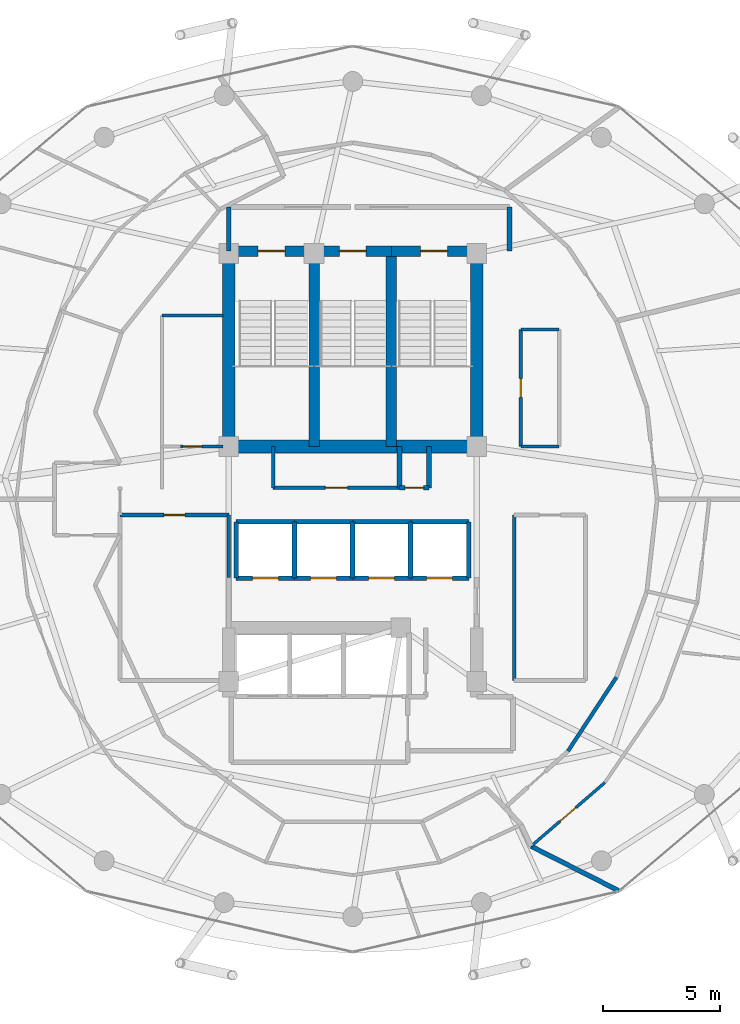
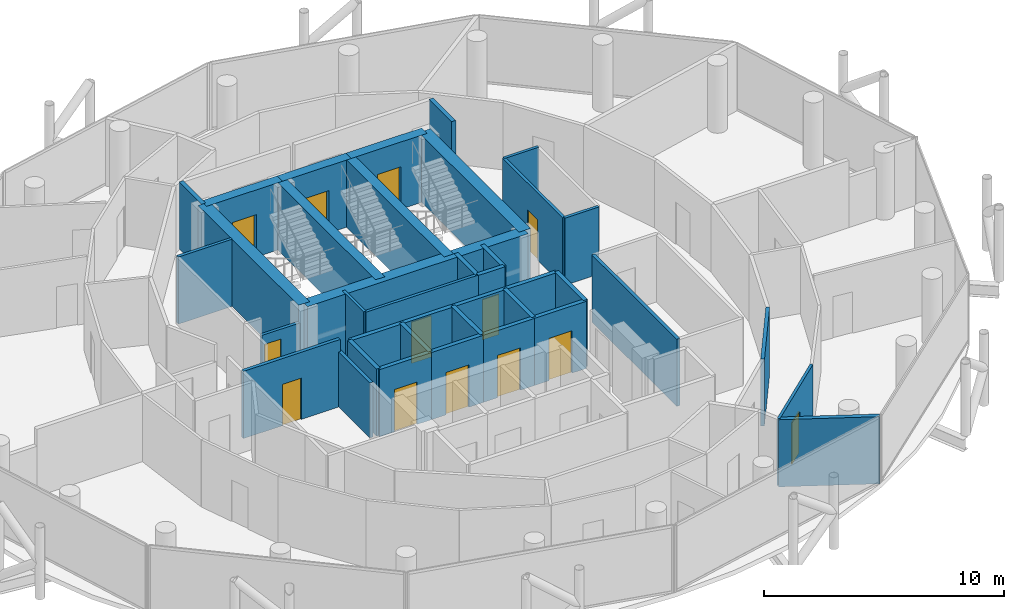
# One storey, part 24 of 28: 39 walls, 13 doors, 13 openings.
"""IFC4 building model written with IfcOpenShell, lengths in metres."""

from ifc_helpers import new_model, si_unit, direction, frame, frame_2d, origin, place, context, subcontext, project, spatial, rectangle, extrude, material, layer, layer_set, type_object, element, fill, save


model = new_model("IFC4")

# Units and contexts
model_context = context("Model", 3, precision=1e-05, world=origin(), true_north=direction((0.0, 1.0)))
body_context = subcontext(model_context, "Body", "Model", "MODEL_VIEW")
ifc_project = project(units=[si_unit("LENGTHUNIT", "METRE"), si_unit("AREAUNIT", "SQUARE_METRE"), si_unit("VOLUMEUNIT", "CUBIC_METRE"), si_unit("PLANEANGLEUNIT", "RADIAN"), si_unit("MASSUNIT", "GRAM", prefix="KILO")], contexts=[model_context])

# Site, building, storey
site_placement = place(None, origin())
site = spatial("IfcSite", under=ifc_project, at=site_placement, CompositionType="ELEMENT")
building_placement = place(site_placement, origin())
building = spatial("IfcBuilding", under=site, at=building_placement, Name="Nuhasar Tower", CompositionType="ELEMENT")
storey_placement = place(building_placement, frame((0.0, 0.0, 222.75)))
storey = spatial("IfcBuildingStorey", under=building, at=storey_placement, Name="L54", CompositionType="ELEMENT", Elevation=222.75)

# Wall, opening, door
ifc_material_1 = material(Name="Concrete C50/60", Category="concrete")
ifc_layer_1 = layer(ifc_material_1, 0.449951171875)
ifc_layer_set_1 = layer_set([ifc_layer_1], Name="Concrete C50/60")
wall_type_1 = type_object("IfcWallType", Name="WL-CORE-450", PredefinedType="SHEAR", material=ifc_layer_set_1)
wall_1_placement = place(storey_placement, frame((37.35009765625, 37.39990234375, 0.0), z_axis=(0.0, 0.0, 1.0), x_axis=(-1.0, 0.0, 0.0)))
wall_1 = element("IfcWall", 1, at=wall_1_placement, inside=storey, type_object=wall_type_1, Name="L54 Stairwell Shear Wall ST01-N", PredefinedType="SHEAR", context=body_context, shape_type="SweptSolid", body=[
    extrude(rectangle(XDim=3.650146484375, YDim=0.449951171875, at=frame_2d((1.8251953125, 0.0))), origin(), (0.0, 0.0, 1.0), 3.409912109375),
])
opening_1_placement = place(wall_1_placement, frame((1.25, 0.0, 0.0)))
opening_1 = element("IfcOpeningElement", 2, at=opening_1_placement, cuts=wall_1, Name="Opening DS-01", PredefinedType="OPENING", context=body_context, shape_type="SweptSolid", body=[
    extrude(rectangle(XDim=1.14990234375, YDim=2.14990234375, at=frame_2d((0.574951171875, 1.074951171875))), frame((0.0, 0.23486328125, 0.0), z_axis=(0.0, -1.0, 0.0), x_axis=(1.0, 0.0, 0.0)), (0.0, 0.0, 1.0), 0.469970703125),
])
ifc_material_2 = material(Name="Steel S355", Category="steel")
door_type_1 = type_object("IfcDoorType", Name="DR-STAIR-FD120-1150", OperationType="NOTDEFINED", PredefinedType="DOOR", material=ifc_material_2)
door_1_placement = place(opening_1_placement, origin())
door_1 = element("IfcDoor", 3, at=door_1_placement, inside=storey, type_object=door_type_1, Name="L54 Exit Stair ST-01 Door", OperationType="SINGLE_SWING_RIGHT", OverallHeight=2.14990234375, OverallWidth=1.14990234375, PredefinedType="DOOR", context=body_context, shape_type="SweptSolid", body=[
    extrude(rectangle(XDim=1.14990234375, YDim=2.14990234375, at=frame_2d((0.574951171875, 1.074951171875))), frame((0.0, 0.02490234375, 0.0), z_axis=(0.0, -1.0, 0.0), x_axis=(1.0, 0.0, 0.0)), (0.0, 0.0, 1.0), 0.050048828125),
])
fill(opening_1, door_1)

# Wall
wall_2_placement = place(storey_placement, frame((37.35009765625, 29.050048828125, 0.0), z_axis=(0.0, 0.0, 1.0), x_axis=(0.0, 1.0, 0.0)))
element("IfcWall", 4, at=wall_2_placement, inside=storey, type_object=wall_type_1, Name="L54 Stairwell Shear Wall ST01-E", PredefinedType="SHEAR", context=body_context, shape_type="SweptSolid", body=[
    extrude(rectangle(XDim=8.349853515625, YDim=0.449951171875, at=frame_2d((4.1748046875, 0.0))), origin(), (0.0, 0.0, 1.0), 3.409912109375),
])

# Wall, opening, door
wall_3_placement = place(storey_placement, frame((40.64990234375, 37.39990234375, 0.0), z_axis=(0.0, 0.0, 1.0), x_axis=(-1.0, 0.0, 0.0)))
wall_3 = element("IfcWall", 5, at=wall_3_placement, inside=storey, type_object=wall_type_1, Name="L54 Stairwell Shear Wall ST03-N", PredefinedType="SHEAR", context=body_context, shape_type="SweptSolid", body=[
    extrude(rectangle(XDim=3.2998046875, YDim=0.449951171875, at=frame_2d((1.64990234375, 0.0))), origin(), (0.0, 0.0, 1.0), 3.409912109375),
])
opening_2_placement = place(wall_3_placement, frame((1.074951171875, 0.0, 0.0)))
opening_2 = element("IfcOpeningElement", 6, at=opening_2_placement, cuts=wall_3, Name="Opening DS-01", PredefinedType="OPENING", context=body_context, shape_type="SweptSolid", body=[
    extrude(rectangle(XDim=1.14990234375, YDim=2.14990234375, at=frame_2d((0.574951171875, 1.074951171875))), frame((0.0, 0.23486328125, 0.0), z_axis=(0.0, -1.0, 0.0), x_axis=(1.0, 0.0, 0.0)), (0.0, 0.0, 1.0), 0.469970703125),
])
door_2_placement = place(opening_2_placement, origin())
door_2 = element("IfcDoor", 7, at=door_2_placement, inside=storey, type_object=door_type_1, Name="L54 Exit Stair ST-03 Door", OperationType="SINGLE_SWING_RIGHT", OverallHeight=2.14990234375, OverallWidth=1.14990234375, PredefinedType="DOOR", context=body_context, shape_type="SweptSolid", body=[
    extrude(rectangle(XDim=1.14990234375, YDim=2.14990234375, at=frame_2d((0.574951171875, 1.074951171875))), frame((0.0, 0.02490234375, 0.0), z_axis=(0.0, -1.0, 0.0), x_axis=(1.0, 0.0, 0.0)), (0.0, 0.0, 1.0), 0.050048828125),
])
fill(opening_2, door_2)

# Wall
wall_4_placement = place(storey_placement, frame((40.64990234375, 29.050048828125, 0.0), z_axis=(0.0, 0.0, 1.0), x_axis=(0.0, 1.0, 0.0)))
element("IfcWall", 8, at=wall_4_placement, inside=storey, type_object=wall_type_1, Name="L54 Stairwell Shear Wall ST03-E", PredefinedType="SHEAR", context=body_context, shape_type="SweptSolid", body=[
    extrude(rectangle(XDim=8.349853515625, YDim=0.449951171875, at=frame_2d((4.1748046875, 0.0))), origin(), (0.0, 0.0, 1.0), 3.409912109375),
])

# Wall, opening, door
wall_5_placement = place(storey_placement, frame((44.300048828125, 37.39990234375, 0.0), z_axis=(0.0, 0.0, 1.0), x_axis=(-1.0, 0.0, 0.0)))
wall_5 = element("IfcWall", 9, at=wall_5_placement, inside=storey, type_object=wall_type_1, Name="L54 Stairwell Shear Wall ST02-N", PredefinedType="SHEAR", context=body_context, shape_type="SweptSolid", body=[
    extrude(rectangle(XDim=3.650146484375, YDim=0.449951171875, at=frame_2d((1.8251953125, 0.0))), origin(), (0.0, 0.0, 1.0), 3.409912109375),
])
opening_3_placement = place(wall_5_placement, frame((1.25, 0.0, 0.0)))
opening_3 = element("IfcOpeningElement", 10, at=opening_3_placement, cuts=wall_5, Name="Opening DS-01", PredefinedType="OPENING", context=body_context, shape_type="SweptSolid", body=[
    extrude(rectangle(XDim=1.14990234375, YDim=2.14990234375, at=frame_2d((0.574951171875, 1.074951171875))), frame((0.0, 0.23486328125, 0.0), z_axis=(0.0, -1.0, 0.0), x_axis=(1.0, 0.0, 0.0)), (0.0, 0.0, 1.0), 0.469970703125),
])
door_3_placement = place(opening_3_placement, origin())
door_3 = element("IfcDoor", 11, at=door_3_placement, inside=storey, type_object=door_type_1, Name="L54 Exit Stair ST-02 Door", OperationType="SINGLE_SWING_LEFT", OverallHeight=2.14990234375, OverallWidth=1.14990234375, PredefinedType="DOOR", context=body_context, shape_type="SweptSolid", body=[
    extrude(rectangle(XDim=1.14990234375, YDim=2.14990234375, at=frame_2d((0.574951171875, 1.074951171875))), frame((0.0, 0.02490234375, 0.0), z_axis=(0.0, -1.0, 0.0), x_axis=(1.0, 0.0, 0.0)), (0.0, 0.0, 1.0), 0.050048828125),
])
fill(opening_3, door_3)

# Walls
ifc_material_3 = material(Name="Concrete C55/67", Category="concrete")
ifc_layer_2 = layer(ifc_material_3, 0.550048828125)
ifc_layer_set_2 = layer_set([ifc_layer_2], Name="Concrete C55/67")
wall_type_2 = type_object("IfcWallType", Name="WL-CORE-550", PredefinedType="SHEAR", material=ifc_layer_set_2)
for number, where, z_axis, x_axis, name in (
    (12, (33.699951171875, 29.050048828125, 0.0), (0.0, 0.0, 1.0), (0.0, 1.0, 0.0), "L54 Core Shear Wall CW-NW CW-550"),
    (13, (44.300048828125, 29.050048828125, 0.0), (0.0, 0.0, 1.0), (0.0, 1.0, 0.0), "L54 Core Shear Wall CW-NE CW-550"),
):
    element("IfcWall", number, at=place(storey_placement, frame(where, z_axis=z_axis, x_axis=x_axis)), inside=storey, type_object=wall_type_2, Name=name, PredefinedType="SHEAR", context=body_context, shape_type="SweptSolid", body=[
        extrude(rectangle(XDim=8.349853515625, YDim=0.550048828125, at=frame_2d((4.1748046875, 0.0))), origin(), (0.0, 0.0, 1.0), 3.409912109375),
    ])
wall_6_placement = place(storey_placement, frame((33.699951171875, 29.050048828125, 0.0), z_axis=(0.0, 0.0, 1.0), x_axis=(1.0, 0.0, 0.0)))
element("IfcWall", 14, at=wall_6_placement, inside=storey, type_object=wall_type_2, Name="L54 Core Shear Wall CW-N1 CW-550", PredefinedType="SHEAR", context=body_context, shape_type="SweptSolid", body=[
    extrude(rectangle(XDim=10.60009765625, YDim=0.550048828125, at=frame_2d((5.300048828125, 0.0))), origin(), (0.0, 0.0, 1.0), 3.409912109375),
])
ifc_material_4 = material(Name="Gypsum Board", Category="gypsum")
ifc_layer_3 = layer(ifc_material_4, 0.159912109375)
ifc_layer_set_3 = layer_set([ifc_layer_3], Name="Gypsum Board")
wall_type_3 = type_object("IfcWallType", Name="WL-CORR-160", PredefinedType="PARTITIONING", material=ifc_layer_set_3)
wall_7_placement = place(storey_placement, frame((33.699951171875, 23.449951171875, 0.0), z_axis=(0.0, 0.0, 1.0), x_axis=(0.0, 1.0, 0.0)))
element("IfcWall", 15, at=wall_7_placement, inside=storey, type_object=wall_type_3, Name="L54 Interior Partition RECL-B1-E", PredefinedType="PARTITIONING", context=body_context, shape_type="SweptSolid", body=[
    extrude(rectangle(XDim=2.670166015625, YDim=0.159912109375, at=frame_2d((1.3349609375, 0.0))), origin(), (0.0, 0.0, 1.0), 2.794921875),
])

# Wall, opening, door
wall_8_placement = place(storey_placement, frame((33.699951171875, 26.1201171875, 0.0), z_axis=(0.0, 0.0, 1.0), x_axis=(-1.0, 0.0, 0.0)))
wall_8 = element("IfcWall", 16, at=wall_8_placement, inside=storey, type_object=wall_type_3, Name="L54 Interior Partition RECL-B1-N", PredefinedType="PARTITIONING", context=body_context, shape_type="SweptSolid", body=[
    extrude(rectangle(XDim=4.64990234375, YDim=0.159912109375, at=frame_2d((2.324951171875, 0.0))), origin(), (0.0, 0.0, 1.0), 3.409912109375),
])
opening_4_placement = place(wall_8_placement, frame((1.875, 0.0, 0.0)))
opening_4 = element("IfcOpeningElement", 17, at=opening_4_placement, cuts=wall_8, Name="Opening DR-01", PredefinedType="OPENING", context=body_context, shape_type="SweptSolid", body=[
    extrude(rectangle(XDim=0.89990234375, YDim=2.10009765625, at=frame_2d((0.449951171875, 1.050048828125))), frame((0.0, 0.08984375, 0.0), z_axis=(0.0, -1.0, 0.0), x_axis=(1.0, 0.0, 0.0)), (0.0, 0.0, 1.0), 0.179931640625),
])
ifc_material_5 = material(Name="Timber Oak", Category="wood")
door_type_2 = type_object("IfcDoorType", Name="DR-ROOM-900", OperationType="NOTDEFINED", PredefinedType="DOOR", material=ifc_material_5)
door_4_placement = place(opening_4_placement, origin())
door_4 = element("IfcDoor", 18, at=door_4_placement, inside=storey, type_object=door_type_2, Name="L54 Butler Store Door", OperationType="SINGLE_SWING_LEFT", OverallHeight=2.10009765625, OverallWidth=0.89990234375, PredefinedType="DOOR", context=body_context, shape_type="SweptSolid", body=[
    extrude(rectangle(XDim=0.89990234375, YDim=2.10009765625, at=frame_2d((0.449951171875, 1.050048828125))), frame((0.0, 0.02490234375, 0.0), z_axis=(0.0, -1.0, 0.0), x_axis=(1.0, 0.0, 0.0)), (0.0, 0.0, 1.0), 0.050048828125),
])
fill(opening_4, door_4)

# Walls
wall_9_placement = place(storey_placement, frame((45.89990234375, 19.050048828125, 0.0), z_axis=(0.0, 0.0, 1.0), x_axis=(0.0, 1.0, 0.0)))
element("IfcWall", 19, at=wall_9_placement, inside=storey, type_object=wall_type_3, Name="L54 Interior Partition RECL-B2-W", PredefinedType="PARTITIONING", context=body_context, shape_type="SweptSolid", body=[
    extrude(rectangle(XDim=7.070068359375, YDim=0.159912109375, at=frame_2d((3.53515625, 0.0))), origin(), (0.0, 0.0, 1.0), 3.409912109375),
])
wall_10_placement = place(storey_placement, frame((48.198974609375, 16.031005859375, 0.0), z_axis=(0.0, 0.0, 1.0), x_axis=(0.548335441843, 0.836258478712, 0.0)))
element("IfcWall", 20, at=wall_10_placement, inside=storey, type_object=wall_type_3, Name="L54 Interior Partition CORR-42", PredefinedType="PARTITIONING", context=body_context, shape_type="SweptSolid", body=[
    extrude(rectangle(XDim=3.771728515625, YDim=0.159912109375, at=frame_2d((1.8857421875, 0.0))), origin(), (0.0, 0.0, 1.0), 3.409912109375),
])
ifc_material_6 = material(Name="Concrete C45/55", Category="concrete")
ifc_layer_4 = layer(ifc_material_6, 0.199951171875)
ifc_layer_set_4 = layer_set([ifc_layer_4], Name="Concrete C45/55")
wall_type_4 = type_object("IfcWallType", Name="WL-LOBBY-200", PredefinedType="SOLIDWALL", material=ifc_layer_set_4)
for number, where, z_axis, x_axis, name in (
    (21, (33.699951171875, 37.39990234375, 0.0), (0.0, 0.0, 1.0), (0.0, 1.0, 0.0), "L54 Interior Partition NSL-W"),
    (22, (45.699951171875, 37.39990234375, 0.0), (0.0, 0.0, 1.0), (0.0, 1.0, 0.0), "L54 Interior Partition NSL-E"),
):
    element("IfcWall", number, at=place(storey_placement, frame(where, z_axis=z_axis, x_axis=x_axis)), inside=storey, type_object=wall_type_4, Name=name, PredefinedType="SOLIDWALL", context=body_context, shape_type="SweptSolid", body=[
        extrude(rectangle(XDim=1.880126953125, YDim=0.199951171875, at=frame_2d((0.93994140625, 0.0))), origin(), (0.0, 0.0, 1.0), 3.409912109375),
    ])

# Wall, opening, door
ifc_layer_5 = layer(ifc_material_4, 0.125)
ifc_layer_set_5 = layer_set([ifc_layer_5], Name="Gypsum Board")
wall_type_5 = type_object("IfcWallType", Name="WL-PART-125", PredefinedType="PARTITIONING", material=ifc_layer_set_5)
wall_11_placement = place(storey_placement, frame((49.77587890625, 14.68701171875, 0.0), z_axis=(0.0, 0.0, 1.0), x_axis=(-0.757239102967, -0.653137765665, 0.0)))
wall_11 = element("IfcWall", 23, at=wall_11_placement, inside=storey, type_object=wall_type_5, Name="L54 Interior Partition UMID-01-A-40", PredefinedType="PARTITIONING", context=body_context, shape_type="SweptSolid", body=[
    extrude(rectangle(XDim=4.16748046875, YDim=0.125, at=frame_2d((2.083740234375, 0.0))), origin(), (0.0, 0.0, 1.0), 3.409912109375),
])
opening_5_placement = place(wall_11_placement, frame((1.634033203125, 0.0, 0.0)))
opening_5 = element("IfcOpeningElement", 24, at=opening_5_placement, cuts=wall_11, Name="Opening DR-01", PredefinedType="OPENING", context=body_context, shape_type="SweptSolid", body=[
    extrude(rectangle(XDim=0.89990234375, YDim=2.10009765625, at=frame_2d((0.449951171875, 1.050048828125))), frame((0.0, 0.072509765625, 0.0), z_axis=(0.0, -1.0, 0.0), x_axis=(1.0, 0.0, 0.0)), (0.0, 0.0, 1.0), 0.14501953125),
])
door_5_placement = place(opening_5_placement, origin())
door_5 = element("IfcDoor", 25, at=door_5_placement, inside=storey, type_object=door_type_2, Name="L54 U01 Living Door", OperationType="SINGLE_SWING_LEFT", OverallHeight=2.10009765625, OverallWidth=0.89990234375, PredefinedType="DOOR", context=body_context, shape_type="SweptSolid", body=[
    extrude(rectangle(XDim=0.89990234375, YDim=2.10009765625, at=frame_2d((0.449951171875, 1.050048828125))), frame((0.0, 0.02490234375, 0.0), z_axis=(0.0, -1.0, 0.0), x_axis=(1.0, 0.0, 0.0)), (0.0, 0.0, 1.0), 0.050048828125),
])
fill(opening_5, door_5)

# Walls
ifc_layer_6 = layer(ifc_material_6, 0.199951171875)
ifc_layer_set_6 = layer_set([ifc_layer_6], Name="Concrete C45/55")
wall_type_6 = type_object("IfcWallType", Name="WL-SHAFT-200", PredefinedType="SOLIDWALL", material=ifc_layer_set_6)
for number, where, z_axis, x_axis, name in (
    (26, (41.0, 27.280029296875, 0.0), (0.0, 0.0, 1.0), (0.0, 1.0, 0.0), "L54 Interior Partition RSRN-W"),
    (27, (42.260009765625, 27.280029296875, 0.0), (0.0, 0.0, 1.0), (0.0, 1.0, 0.0), "L54 Interior Partition RSRN-E"),
):
    element("IfcWall", number, at=place(storey_placement, frame(where, z_axis=z_axis, x_axis=x_axis)), inside=storey, type_object=wall_type_6, Name=name, PredefinedType="SOLIDWALL", context=body_context, shape_type="SweptSolid", body=[
        extrude(rectangle(XDim=1.77001953125, YDim=0.199951171875, at=frame_2d((0.885009765625, 0.0))), origin(), (0.0, 0.0, 1.0), 3.409912109375),
    ])

# Wall, opening, door
wall_12_placement = place(storey_placement, frame((41.0, 27.280029296875, 0.0), z_axis=(0.0, 0.0, 1.0), x_axis=(1.0, 0.0, 0.0)))
wall_12 = element("IfcWall", 28, at=wall_12_placement, inside=storey, type_object=wall_type_6, Name="L54 Interior Partition RSRN-S", PredefinedType="SOLIDWALL", context=body_context, shape_type="SweptSolid", body=[
    extrude(rectangle(XDim=1.260009765625, YDim=0.199951171875, at=frame_2d((0.6298828125, 0.0))), origin(), (0.0, 0.0, 1.0), 3.409912109375),
])
opening_6_placement = place(wall_12_placement, frame((0.22998046875, 0.0, 0.0)))
opening_6 = element("IfcOpeningElement", 29, at=opening_6_placement, cuts=wall_12, Name="Opening DM-01", PredefinedType="OPENING", context=body_context, shape_type="SweptSolid", body=[
    extrude(rectangle(XDim=0.800048828125, YDim=2.050048828125, at=frame_2d((0.39990234375, 1.02490234375))), frame((0.0, 0.10986328125, 0.0), z_axis=(0.0, -1.0, 0.0), x_axis=(1.0, 0.0, 0.0)), (0.0, 0.0, 1.0), 0.219970703125),
])
door_type_3 = type_object("IfcDoorType", Name="DR-RISER-FD60-800", OperationType="NOTDEFINED", PredefinedType="DOOR", material=ifc_material_2)
door_6_placement = place(opening_6_placement, origin())
door_6 = element("IfcDoor", 30, at=door_6_placement, inside=storey, type_object=door_type_3, Name="L54 North Smoke Riser Door", OperationType="SINGLE_SWING_RIGHT", OverallHeight=2.050048828125, OverallWidth=0.800048828125, PredefinedType="DOOR", context=body_context, shape_type="SweptSolid", body=[
    extrude(rectangle(XDim=0.800048828125, YDim=2.050048828125, at=frame_2d((0.39990234375, 1.02490234375))), frame((0.0, 0.02490234375, 0.0), z_axis=(0.0, -1.0, 0.0), x_axis=(1.0, 0.0, 0.0)), (0.0, 0.0, 1.0), 0.050048828125),
])
fill(opening_6, door_6)

wall_13_placement = place(storey_placement, frame((34.02001953125, 23.419921875, 0.0), z_axis=(0.0, 0.0, 1.0), x_axis=(1.0, 0.0, 0.0)))
wall_13 = element("IfcWall", 31, at=wall_13_placement, inside=storey, type_object=wall_type_6, Name="L54 Interior Partition SHF-PL-H01-S", PredefinedType="SOLIDWALL", context=body_context, shape_type="SweptSolid", body=[
    extrude(rectangle(XDim=2.5, YDim=0.199951171875, at=frame_2d((1.25, 0.0))), origin(), (0.0, 0.0, 1.0), 3.409912109375),
])
opening_7_placement = place(wall_13_placement, frame((0.699951171875, 0.0, 0.0)))
opening_7 = element("IfcOpeningElement", 32, at=opening_7_placement, cuts=wall_13, Name="Opening LD-H01", PredefinedType="OPENING", context=body_context, shape_type="SweptSolid", body=[
    extrude(rectangle(XDim=1.10009765625, YDim=2.14990234375, at=frame_2d((0.550048828125, 1.074951171875))), frame((0.0, 0.10986328125, 0.0), z_axis=(0.0, -1.0, 0.0), x_axis=(1.0, 0.0, 0.0)), (0.0, 0.0, 1.0), 0.219970703125),
])
ifc_material_7 = material(Name="Stainless Steel 316L", Category="steel")
door_type_4 = type_object("IfcDoorType", Name="LD-PAX-1100", OperationType="DOUBLE_DOOR_SLIDING", PredefinedType="DOOR", material=ifc_material_7)
door_7_placement = place(opening_7_placement, origin())
door_7 = element("IfcDoor", 33, at=door_7_placement, inside=storey, type_object=door_type_4, Name="L54 Lift Landing Door PL-H01", OperationType="DOUBLE_DOOR_SLIDING", OverallHeight=2.14990234375, OverallWidth=1.10009765625, PredefinedType="DOOR", context=body_context, shape_type="SweptSolid", body=[
    extrude(rectangle(XDim=1.10009765625, YDim=2.14990234375, at=frame_2d((0.550048828125, 1.074951171875))), frame((0.0, 0.02490234375, 0.0), z_axis=(0.0, -1.0, 0.0), x_axis=(1.0, 0.0, 0.0)), (0.0, 0.0, 1.0), 0.050048828125),
])
fill(opening_7, door_7)

# Walls
wall_14_placement = place(storey_placement, frame((34.02001953125, 25.830078125, 0.0), z_axis=(0.0, 0.0, 1.0), x_axis=(1.0, 0.0, 0.0)))
element("IfcWall", 34, at=wall_14_placement, inside=storey, type_object=wall_type_6, Name="L54 Interior Partition SHF-PL-H01-N", PredefinedType="SOLIDWALL", context=body_context, shape_type="SweptSolid", body=[
    extrude(rectangle(XDim=2.5, YDim=0.199951171875, at=frame_2d((1.25, 0.0))), origin(), (0.0, 0.0, 1.0), 3.409912109375),
])
for number, where, z_axis, x_axis, name in (
    (35, (34.02001953125, 23.419921875, 0.0), (0.0, 0.0, 1.0), (0.0, 1.0, 0.0), "L54 Interior Partition SHF-PL-H01-W"),
    (36, (36.510009765625, 23.419921875, 0.0), (0.0, 0.0, 1.0), (0.0, 1.0, 0.0), "L54 Interior Partition SHF-PL-H01-E"),
):
    element("IfcWall", number, at=place(storey_placement, frame(where, z_axis=z_axis, x_axis=x_axis)), inside=storey, type_object=wall_type_6, Name=name, PredefinedType="SOLIDWALL", context=body_context, shape_type="SweptSolid", body=[
        extrude(rectangle(XDim=2.41015625, YDim=0.199951171875, at=frame_2d((1.205078125, 0.0))), origin(), (0.0, 0.0, 1.0), 3.409912109375),
    ])

# Wall, opening, door
wall_15_placement = place(storey_placement, frame((36.5, 23.419921875, 0.0), z_axis=(0.0, 0.0, 1.0), x_axis=(1.0, 0.0, 0.0)))
wall_15 = element("IfcWall", 37, at=wall_15_placement, inside=storey, type_object=wall_type_6, Name="L54 Interior Partition SHF-PL-H02-S", PredefinedType="SOLIDWALL", context=body_context, shape_type="SweptSolid", body=[
    extrude(rectangle(XDim=2.5, YDim=0.199951171875, at=frame_2d((1.25, 0.0))), origin(), (0.0, 0.0, 1.0), 3.409912109375),
])
opening_8_placement = place(wall_15_placement, frame((0.699951171875, 0.0, 0.0)))
opening_8 = element("IfcOpeningElement", 38, at=opening_8_placement, cuts=wall_15, Name="Opening LD-H02", PredefinedType="OPENING", context=body_context, shape_type="SweptSolid", body=[
    extrude(rectangle(XDim=1.10009765625, YDim=2.14990234375, at=frame_2d((0.550048828125, 1.074951171875))), frame((0.0, 0.10986328125, 0.0), z_axis=(0.0, -1.0, 0.0), x_axis=(1.0, 0.0, 0.0)), (0.0, 0.0, 1.0), 0.219970703125),
])
door_8_placement = place(opening_8_placement, origin())
door_8 = element("IfcDoor", 39, at=door_8_placement, inside=storey, type_object=door_type_4, Name="L54 Lift Landing Door PL-H02", OperationType="DOUBLE_DOOR_SLIDING", OverallHeight=2.14990234375, OverallWidth=1.10009765625, PredefinedType="DOOR", context=body_context, shape_type="SweptSolid", body=[
    extrude(rectangle(XDim=1.10009765625, YDim=2.14990234375, at=frame_2d((0.550048828125, 1.074951171875))), frame((0.0, 0.02490234375, 0.0), z_axis=(0.0, -1.0, 0.0), x_axis=(1.0, 0.0, 0.0)), (0.0, 0.0, 1.0), 0.050048828125),
])
fill(opening_8, door_8)

# Walls
wall_16_placement = place(storey_placement, frame((36.5, 25.830078125, 0.0), z_axis=(0.0, 0.0, 1.0), x_axis=(1.0, 0.0, 0.0)))
element("IfcWall", 40, at=wall_16_placement, inside=storey, type_object=wall_type_6, Name="L54 Interior Partition SHF-PL-H02-N", PredefinedType="SOLIDWALL", context=body_context, shape_type="SweptSolid", body=[
    extrude(rectangle(XDim=2.5, YDim=0.199951171875, at=frame_2d((1.25, 0.0))), origin(), (0.0, 0.0, 1.0), 3.409912109375),
])
wall_17_placement = place(storey_placement, frame((38.989990234375, 23.419921875, 0.0), z_axis=(0.0, 0.0, 1.0), x_axis=(0.0, 1.0, 0.0)))
element("IfcWall", 41, at=wall_17_placement, inside=storey, type_object=wall_type_6, Name="L54 Interior Partition SHF-PL-H02-E", PredefinedType="SOLIDWALL", context=body_context, shape_type="SweptSolid", body=[
    extrude(rectangle(XDim=2.41015625, YDim=0.199951171875, at=frame_2d((1.205078125, 0.0))), origin(), (0.0, 0.0, 1.0), 3.409912109375),
])

# Wall, opening, door
wall_18_placement = place(storey_placement, frame((38.97998046875, 23.419921875, 0.0), z_axis=(0.0, 0.0, 1.0), x_axis=(1.0, 0.0, 0.0)))
wall_18 = element("IfcWall", 42, at=wall_18_placement, inside=storey, type_object=wall_type_6, Name="L54 Interior Partition SHF-PL-H03-S", PredefinedType="SOLIDWALL", context=body_context, shape_type="SweptSolid", body=[
    extrude(rectangle(XDim=2.5, YDim=0.199951171875, at=frame_2d((1.25, 0.0))), origin(), (0.0, 0.0, 1.0), 3.409912109375),
])
opening_9_placement = place(wall_18_placement, frame((0.699951171875, 0.0, 0.0)))
opening_9 = element("IfcOpeningElement", 43, at=opening_9_placement, cuts=wall_18, Name="Opening LD-H03", PredefinedType="OPENING", context=body_context, shape_type="SweptSolid", body=[
    extrude(rectangle(XDim=1.10009765625, YDim=2.14990234375, at=frame_2d((0.550048828125, 1.074951171875))), frame((0.0, 0.10986328125, 0.0), z_axis=(0.0, -1.0, 0.0), x_axis=(1.0, 0.0, 0.0)), (0.0, 0.0, 1.0), 0.219970703125),
])
door_9_placement = place(opening_9_placement, origin())
door_9 = element("IfcDoor", 44, at=door_9_placement, inside=storey, type_object=door_type_4, Name="L54 Lift Landing Door PL-H03", OperationType="DOUBLE_DOOR_SLIDING", OverallHeight=2.14990234375, OverallWidth=1.10009765625, PredefinedType="DOOR", context=body_context, shape_type="SweptSolid", body=[
    extrude(rectangle(XDim=1.10009765625, YDim=2.14990234375, at=frame_2d((0.550048828125, 1.074951171875))), frame((0.0, 0.02490234375, 0.0), z_axis=(0.0, -1.0, 0.0), x_axis=(1.0, 0.0, 0.0)), (0.0, 0.0, 1.0), 0.050048828125),
])
fill(opening_9, door_9)

# Walls
wall_19_placement = place(storey_placement, frame((38.97998046875, 25.830078125, 0.0), z_axis=(0.0, 0.0, 1.0), x_axis=(1.0, 0.0, 0.0)))
element("IfcWall", 45, at=wall_19_placement, inside=storey, type_object=wall_type_6, Name="L54 Interior Partition SHF-PL-H03-N", PredefinedType="SOLIDWALL", context=body_context, shape_type="SweptSolid", body=[
    extrude(rectangle(XDim=2.5, YDim=0.199951171875, at=frame_2d((1.25, 0.0))), origin(), (0.0, 0.0, 1.0), 3.409912109375),
])
wall_20_placement = place(storey_placement, frame((41.469970703125, 23.419921875, 0.0), z_axis=(0.0, 0.0, 1.0), x_axis=(0.0, 1.0, 0.0)))
element("IfcWall", 46, at=wall_20_placement, inside=storey, type_object=wall_type_6, Name="L54 Interior Partition SHF-PL-H03-E", PredefinedType="SOLIDWALL", context=body_context, shape_type="SweptSolid", body=[
    extrude(rectangle(XDim=2.41015625, YDim=0.199951171875, at=frame_2d((1.205078125, 0.0))), origin(), (0.0, 0.0, 1.0), 3.409912109375),
])

# Wall, opening, door
wall_21_placement = place(storey_placement, frame((41.4599609375, 23.419921875, 0.0), z_axis=(0.0, 0.0, 1.0), x_axis=(1.0, 0.0, 0.0)))
wall_21 = element("IfcWall", 47, at=wall_21_placement, inside=storey, type_object=wall_type_6, Name="L54 Interior Partition SHF-PL-H04-S", PredefinedType="SOLIDWALL", context=body_context, shape_type="SweptSolid", body=[
    extrude(rectangle(XDim=2.5, YDim=0.199951171875, at=frame_2d((1.25, 0.0))), origin(), (0.0, 0.0, 1.0), 3.409912109375),
])
opening_10_placement = place(wall_21_placement, frame((0.699951171875, 0.0, 0.0)))
opening_10 = element("IfcOpeningElement", 48, at=opening_10_placement, cuts=wall_21, Name="Opening LD-H04", PredefinedType="OPENING", context=body_context, shape_type="SweptSolid", body=[
    extrude(rectangle(XDim=1.10009765625, YDim=2.14990234375, at=frame_2d((0.550048828125, 1.074951171875))), frame((0.0, 0.10986328125, 0.0), z_axis=(0.0, -1.0, 0.0), x_axis=(1.0, 0.0, 0.0)), (0.0, 0.0, 1.0), 0.219970703125),
])
door_10_placement = place(opening_10_placement, origin())
door_10 = element("IfcDoor", 49, at=door_10_placement, inside=storey, type_object=door_type_4, Name="L54 Lift Landing Door PL-H04", OperationType="DOUBLE_DOOR_SLIDING", OverallHeight=2.14990234375, OverallWidth=1.10009765625, PredefinedType="DOOR", context=body_context, shape_type="SweptSolid", body=[
    extrude(rectangle(XDim=1.10009765625, YDim=2.14990234375, at=frame_2d((0.550048828125, 1.074951171875))), frame((0.0, 0.02490234375, 0.0), z_axis=(0.0, -1.0, 0.0), x_axis=(1.0, 0.0, 0.0)), (0.0, 0.0, 1.0), 0.050048828125),
])
fill(opening_10, door_10)

# Walls
wall_22_placement = place(storey_placement, frame((41.4599609375, 25.830078125, 0.0), z_axis=(0.0, 0.0, 1.0), x_axis=(1.0, 0.0, 0.0)))
element("IfcWall", 50, at=wall_22_placement, inside=storey, type_object=wall_type_6, Name="L54 Interior Partition SHF-PL-H04-N", PredefinedType="SOLIDWALL", context=body_context, shape_type="SweptSolid", body=[
    extrude(rectangle(XDim=2.5, YDim=0.199951171875, at=frame_2d((1.25, 0.0))), origin(), (0.0, 0.0, 1.0), 3.409912109375),
])
wall_23_placement = place(storey_placement, frame((43.9599609375, 23.419921875, 0.0), z_axis=(0.0, 0.0, 1.0), x_axis=(0.0, 1.0, 0.0)))
element("IfcWall", 51, at=wall_23_placement, inside=storey, type_object=wall_type_6, Name="L54 Interior Partition SHF-PL-H04-E", PredefinedType="SOLIDWALL", context=body_context, shape_type="SweptSolid", body=[
    extrude(rectangle(XDim=2.41015625, YDim=0.199951171875, at=frame_2d((1.205078125, 0.0))), origin(), (0.0, 0.0, 1.0), 3.409912109375),
])
ifc_material_8 = material(Name="Concrete C40/50 precast", Category="concrete")
ifc_layer_7 = layer(ifc_material_8, 0.199951171875)
ifc_layer_set_7 = layer_set([ifc_layer_7], Name="Concrete C40/50 precast")
wall_type_7 = type_object("IfcWallType", Name="WL-UNIT-200", PredefinedType="PARTITIONING", material=ifc_layer_set_7)
wall_24_placement = place(storey_placement, frame((46.6201171875, 11.965087890625, 0.0), z_axis=(0.0, 0.0, 1.0), x_axis=(0.891582967948, -0.452857385129, 0.0)))
element("IfcWall", 52, at=wall_24_placement, inside=storey, type_object=wall_type_7, Name="L54 Interior Partition URAD-40-SW-S4", PredefinedType="PARTITIONING", context=body_context, shape_type="SweptSolid", body=[
    extrude(rectangle(XDim=4.197998046875, YDim=0.199951171875, at=frame_2d((2.09912109375, 0.0))), origin(), (0.0, 0.0, 1.0), 3.409912109375),
])
ifc_layer_8 = layer(ifc_material_8, 0.139892578125)
ifc_layer_set_8 = layer_set([ifc_layer_8], Name="Concrete C40/50 precast")
wall_type_8 = type_object("IfcWallType", Name="WL-WET-140", PredefinedType="PARTITIONING", material=ifc_layer_set_8)
wall_25_placement = place(storey_placement, frame((35.60009765625, 27.280029296875, 0.0), z_axis=(0.0, 0.0, 1.0), x_axis=(0.0, 1.0, 0.0)))
element("IfcWall", 53, at=wall_25_placement, inside=storey, type_object=wall_type_8, Name="L54 Interior Partition CSVC-W", PredefinedType="PARTITIONING", context=body_context, shape_type="SweptSolid", body=[
    extrude(rectangle(XDim=1.77001953125, YDim=0.139892578125, at=frame_2d((0.885009765625, 0.0))), origin(), (0.0, 0.0, 1.0), 3.409912109375),
])

# Wall, opening, door
wall_26_placement = place(storey_placement, frame((35.60009765625, 27.280029296875, 0.0), z_axis=(0.0, 0.0, 1.0), x_axis=(1.0, 0.0, 0.0)))
wall_26 = element("IfcWall", 54, at=wall_26_placement, inside=storey, type_object=wall_type_8, Name="L54 Interior Partition CSVC-S", PredefinedType="PARTITIONING", context=body_context, shape_type="SweptSolid", body=[
    extrude(rectangle(XDim=5.39990234375, YDim=0.139892578125, at=frame_2d((2.699951171875, 0.0))), origin(), (0.0, 0.0, 1.0), 3.409912109375),
])
opening_11_placement = place(wall_26_placement, frame((2.22509765625, 0.0, 0.0)))
opening_11 = element("IfcOpeningElement", 55, at=opening_11_placement, cuts=wall_26, Name="Opening DA-01", PredefinedType="OPENING", context=body_context, shape_type="SweptSolid", body=[
    extrude(rectangle(XDim=0.949951171875, YDim=2.10009765625, at=frame_2d((0.47509765625, 1.050048828125))), frame((0.0, 0.080078125, 0.0), z_axis=(0.0, -1.0, 0.0), x_axis=(1.0, 0.0, 0.0)), (0.0, 0.0, 1.0), 0.159912109375),
])
door_type_5 = type_object("IfcDoorType", Name="DR-ACCWC-950", OperationType="NOTDEFINED", PredefinedType="DOOR", material=ifc_material_5)
door_11_placement = place(opening_11_placement, origin())
door_11 = element("IfcDoor", 56, at=door_11_placement, inside=storey, type_object=door_type_5, Name="L54 Core Accessible Restroom Door", OperationType="SINGLE_SWING_LEFT", OverallHeight=2.10009765625, OverallWidth=0.949951171875, PredefinedType="DOOR", context=body_context, shape_type="SweptSolid", body=[
    extrude(rectangle(XDim=0.949951171875, YDim=2.10009765625, at=frame_2d((0.47509765625, 1.050048828125))), frame((0.0, 0.02490234375, 0.0), z_axis=(0.0, -1.0, 0.0), x_axis=(1.0, 0.0, 0.0)), (0.0, 0.0, 1.0), 0.050048828125),
])
fill(opening_11, door_11)

wall_27_placement = place(storey_placement, frame((31.6298828125, 29.050048828125, 0.0), z_axis=(0.0, 0.0, 1.0), x_axis=(1.0, 0.0, 0.0)))
wall_27 = element("IfcWall", 57, at=wall_27_placement, inside=storey, type_object=wall_type_8, Name="L54 Interior Partition K3-NW-S", PredefinedType="PARTITIONING", context=body_context, shape_type="SweptSolid", body=[
    extrude(rectangle(XDim=1.820068359375, YDim=0.139892578125, at=frame_2d((0.91015625, 0.0))), origin(), (0.0, 0.0, 1.0), 2.550048828125),
])
opening_12_placement = place(wall_27_placement, frame((0.1201171875, 0.0, 0.0)))
opening_12 = element("IfcOpeningElement", 58, at=opening_12_placement, cuts=wall_27, Name="Opening DM-01", PredefinedType="OPENING", context=body_context, shape_type="SweptSolid", body=[
    extrude(rectangle(XDim=0.800048828125, YDim=2.050048828125, at=frame_2d((0.39990234375, 1.02490234375))), frame((0.0, 0.080078125, 0.0), z_axis=(0.0, -1.0, 0.0), x_axis=(1.0, 0.0, 0.0)), (0.0, 0.0, 1.0), 0.159912109375),
])
door_12_placement = place(opening_12_placement, origin())
door_12 = element("IfcDoor", 59, at=door_12_placement, inside=storey, type_object=door_type_3, Name="L54 NW Electrical Room Door", OperationType="SINGLE_SWING_LEFT", OverallHeight=2.050048828125, OverallWidth=0.800048828125, PredefinedType="DOOR", context=body_context, shape_type="SweptSolid", body=[
    extrude(rectangle(XDim=0.800048828125, YDim=2.050048828125, at=frame_2d((0.39990234375, 1.02490234375))), frame((0.0, 0.02490234375, 0.0), z_axis=(0.0, -1.0, 0.0), x_axis=(1.0, 0.0, 0.0)), (0.0, 0.0, 1.0), 0.050048828125),
])
fill(opening_12, door_12)

# Wall
wall_28_placement = place(storey_placement, frame((30.85009765625, 34.64990234375, 0.0), z_axis=(0.0, 0.0, 1.0), x_axis=(1.0, 0.0, 0.0)))
element("IfcWall", 60, at=wall_28_placement, inside=storey, type_object=wall_type_8, Name="L54 Interior Partition K3-NW-N", PredefinedType="PARTITIONING", context=body_context, shape_type="SweptSolid", body=[
    extrude(rectangle(XDim=2.599853515625, YDim=0.139892578125, at=frame_2d((1.2998046875, 0.0))), origin(), (0.0, 0.0, 1.0), 3.409912109375),
])

# Wall, opening, door
wall_29_placement = place(storey_placement, frame((46.179931640625, 34.050048828125, 0.0), z_axis=(0.0, 0.0, 1.0), x_axis=(0.0, -1.0, 0.0)))
wall_29 = element("IfcWall", 61, at=wall_29_placement, inside=storey, type_object=wall_type_8, Name="L54 Interior Partition K3-NE-W", PredefinedType="PARTITIONING", context=body_context, shape_type="SweptSolid", body=[
    extrude(rectangle(XDim=5.0, YDim=0.139892578125, at=frame_2d((2.5, 0.0))), origin(), (0.0, 0.0, 1.0), 3.409912109375),
])
opening_13_placement = place(wall_29_placement, frame((2.10009765625, 0.0, 0.0)))
opening_13 = element("IfcOpeningElement", 62, at=opening_13_placement, cuts=wall_29, Name="Opening DM-01", PredefinedType="OPENING", context=body_context, shape_type="SweptSolid", body=[
    extrude(rectangle(XDim=0.800048828125, YDim=2.050048828125, at=frame_2d((0.39990234375, 1.02490234375))), frame((0.0, 0.080078125, 0.0), z_axis=(0.0, -1.0, 0.0), x_axis=(1.0, 0.0, 0.0)), (0.0, 0.0, 1.0), 0.159912109375),
])
door_13_placement = place(opening_13_placement, origin())
door_13 = element("IfcDoor", 63, at=door_13_placement, inside=storey, type_object=door_type_3, Name="L54 NE Switchgear Room Door", OperationType="SINGLE_SWING_RIGHT", OverallHeight=2.050048828125, OverallWidth=0.800048828125, PredefinedType="DOOR", context=body_context, shape_type="SweptSolid", body=[
    extrude(rectangle(XDim=0.800048828125, YDim=2.050048828125, at=frame_2d((0.39990234375, 1.02490234375))), frame((0.0, 0.02490234375, 0.0), z_axis=(0.0, -1.0, 0.0), x_axis=(1.0, 0.0, 0.0)), (0.0, 0.0, 1.0), 0.050048828125),
])
fill(opening_13, door_13)

# Walls
for number, where, z_axis, x_axis, name in (
    (64, (46.179931640625, 29.050048828125, 0.0), (0.0, 0.0, 1.0), (1.0, 0.0, 0.0), "L54 Interior Partition K3-NE-S"),
    (65, (46.179931640625, 34.050048828125, 0.0), (0.0, 0.0, 1.0), (1.0, 0.0, 0.0), "L54 Interior Partition K3-NE-N"),
):
    element("IfcWall", number, at=place(storey_placement, frame(where, z_axis=z_axis, x_axis=x_axis)), inside=storey, type_object=wall_type_8, Name=name, PredefinedType="PARTITIONING", context=body_context, shape_type="SweptSolid", body=[
        extrude(rectangle(XDim=1.64013671875, YDim=0.139892578125, at=frame_2d((0.820068359375, 0.0))), origin(), (0.0, 0.0, 1.0), 3.409912109375),
    ])

save(model, "model.ifc")
